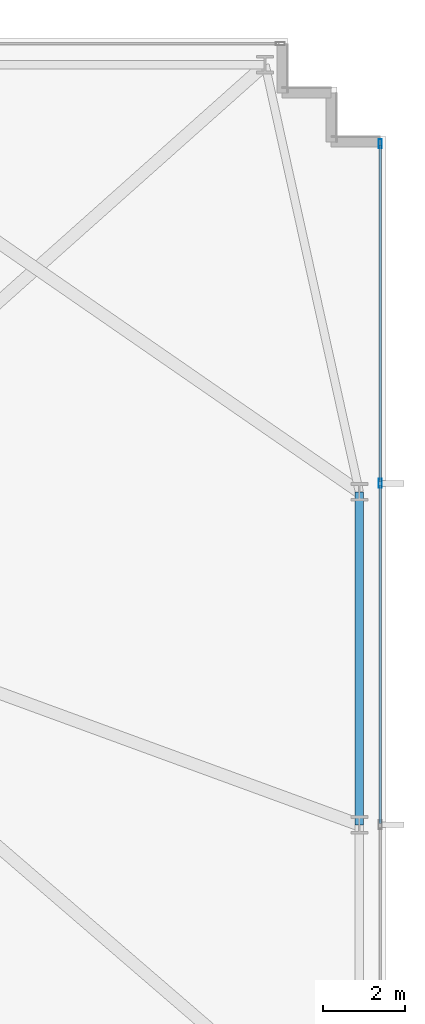
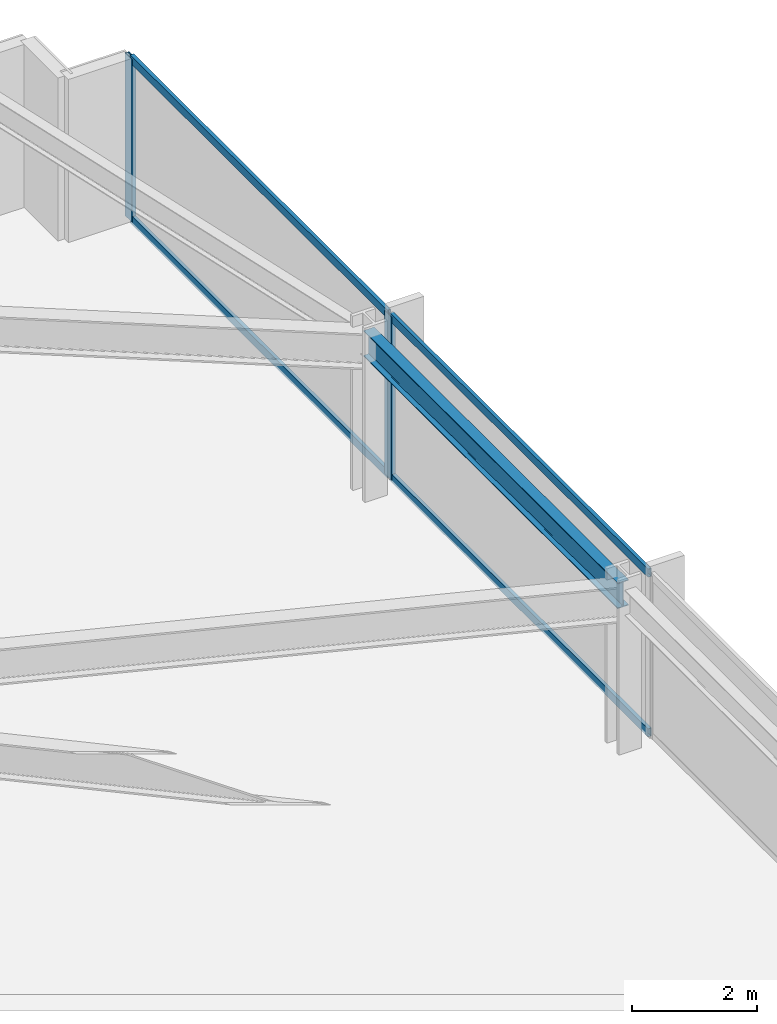
# One storey, part 23 of 33: 6 members, 1 beam, 1 element without a shape of its own.
"""IFC4 building model written with IfcOpenShell, lengths in metres."""

from ifc_helpers import new_model, si_unit, direction, frame, origin, origin_2d, place, context, subcontext, project, spatial, hollow_rectangle, i_section, extrude, material, material_profile, profile_set, type_object, element, aggregate, save


model = new_model("IFC4")

# Units and contexts
model_context = context("Model", 3, precision=1e-05, world=origin(), true_north=direction((0.0, 1.0)))
body_context = subcontext(model_context, "Body", "Model", "MODEL_VIEW")
ifc_project = project(units=[si_unit("LENGTHUNIT", "METRE"), si_unit("AREAUNIT", "SQUARE_METRE"), si_unit("VOLUMEUNIT", "CUBIC_METRE"), si_unit("PLANEANGLEUNIT", "RADIAN"), si_unit("MASSUNIT", "GRAM", prefix="KILO")], contexts=[model_context])

# Site, building, storey
site_placement = place(None, origin())
site = spatial("IfcSite", under=ifc_project, at=site_placement, CompositionType="ELEMENT")
building_placement = place(site_placement, origin())
building = spatial("IfcBuilding", under=site, at=building_placement, Name="Yelkora Congress Tower", CompositionType="ELEMENT")
storey_placement = place(building_placement, frame((0.0, 0.0, 37.199951171875)))
storey = spatial("IfcBuildingStorey", under=building, at=storey_placement, Name="L08", CompositionType="ELEMENT", Elevation=37.199951171875)

# Beam
ifc_material_1 = material(Name="Steel S355J2", Category="steel")
ifc_material_profile_1 = material_profile(ifc_material_1, i_section(OverallWidth=0.199951171875, OverallDepth=0.5, WebThickness=0.01025390625, FlangeThickness=0.01611328125, FilletRadius=0.02099609375, at=origin_2d()), Name="IPE 500")
ifc_profile_set_1 = profile_set([ifc_material_profile_1], Name="Steel S355J2")
beam_type = type_object("IfcBeamType", Name="BM-SPAN-IPE500", PredefinedType="SPANDREL", material=ifc_profile_set_1)
beam_placement = place(storey_placement, frame((70.14990234375, 29.39990234375, 2.929931640625), z_axis=(0.0, 1.0, 0.0), x_axis=(-1.0, 0.0, 0.0)))
element("IfcBeam", 1, at=beam_placement, inside=storey, type_object=beam_type, Name="L08 Perimeter Beam 12", PredefinedType="SPANDREL", context=body_context, shape_type="SweptSolid", body=[
    extrude(i_section(OverallWidth=0.199951171875, OverallDepth=0.5, WebThickness=0.01025390625, FlangeThickness=0.01611328125, FilletRadius=0.02099609375, at=origin_2d()), origin(), (0.0, 0.0, 1.0), 8.125),
])

# Curtain wall, members
ifc_material_2 = material(Name="Anodised aluminium and insulated glass", Category="aluminium")
curtain_wall_type = type_object("IfcCurtainWallType", Name="CW-SYS-B1", PredefinedType="NOTDEFINED", material=ifc_material_2)
curtain_wall_placement = place(storey_placement, origin())
curtain_wall = element("IfcCurtainWall", 2, at=curtain_wall_placement, inside=storey, type_object=curtain_wall_type, Name="L08 Unitised Curtain Wall 15", PredefinedType="NOTDEFINED")
ifc_material_3 = material(Name="Anodised aluminium 6063-T6", Category="aluminium")
ifc_material_profile_2 = material_profile(ifc_material_3, hollow_rectangle(XDim=0.074951171875, YDim=0.219970703125, WallThickness=0.0048828125, at=origin_2d()), Name="ALU 75x220x5")
ifc_profile_set_2 = profile_set([ifc_material_profile_2], Name="Anodised aluminium 6063-T6")
member_type_1 = type_object("IfcMemberType", Name="MEM-ML-B1", PredefinedType="MULLION", material=ifc_profile_set_2)
member_1_placement = place(storey_placement, frame((70.659912109375, 46.0224609375, 0.0), z_axis=(0.0, 0.0, 1.0), x_axis=(1.0, 0.0, 0.0)))
member_1 = element("IfcMember", 3, at=member_1_placement, type_object=member_type_1, Name="CW-B1 mullion 1", PredefinedType="MULLION", context=body_context, shape_type="SweptSolid", body=[
    extrude(hollow_rectangle(XDim=0.074951171875, YDim=0.219970703125, WallThickness=0.0048828125, at=origin_2d()), origin(), (0.0, 0.0, 1.0), 3.179931640625),
])
member_2_placement = place(storey_placement, frame((70.659912109375, 37.72998046875, 0.0), z_axis=(0.0, 0.0, 1.0), x_axis=(1.0, 0.0, 0.0)))
member_2 = element("IfcMember", 4, at=member_2_placement, type_object=member_type_1, Name="CW-B1 mullion 2", PredefinedType="MULLION", context=body_context, shape_type="SweptSolid", body=[
    extrude(hollow_rectangle(XDim=0.074951171875, YDim=0.219970703125, WallThickness=0.0048828125, at=origin_2d()), origin(), (0.0, 0.0, 1.0), 3.179931640625),
])
ifc_material_profile_3 = material_profile(ifc_material_3, hollow_rectangle(XDim=0.06494140625, YDim=0.159912109375, WallThickness=0.00390625, at=origin_2d()), Name="ALU 65x160x4")
ifc_profile_set_3 = profile_set([ifc_material_profile_3], Name="Anodised aluminium 6063-T6")
member_type_2 = type_object("IfcMemberType", Name="MEM-TR-B1", PredefinedType="USERDEFINED", material=ifc_profile_set_3)
member_3_placement = place(storey_placement, frame((70.659912109375, 45.985107421875, 0.032470703125), z_axis=(0.0, -1.0, 0.0), x_axis=(1.0, 0.0, 0.0)))
member_3 = element("IfcMember", 5, at=member_3_placement, type_object=member_type_2, Name="CW-B1 transom 1.1", ObjectType="TRANSOM", PredefinedType="USERDEFINED", context=body_context, shape_type="SweptSolid", body=[
    extrude(hollow_rectangle(XDim=0.06494140625, YDim=0.159912109375, WallThickness=0.00390625, at=origin_2d()), origin(), (0.0, 0.0, 1.0), 8.217529296875),
])
member_4_placement = place(storey_placement, frame((70.659912109375, 45.985107421875, 3.1474609375), z_axis=(0.0, -1.0, 0.0), x_axis=(1.0, 0.0, 0.0)))
member_4 = element("IfcMember", 6, at=member_4_placement, type_object=member_type_2, Name="CW-B1 transom 1.2", ObjectType="TRANSOM", PredefinedType="USERDEFINED", context=body_context, shape_type="SweptSolid", body=[
    extrude(hollow_rectangle(XDim=0.06494140625, YDim=0.159912109375, WallThickness=0.00390625, at=origin_2d()), origin(), (0.0, 0.0, 1.0), 8.217529296875),
])
member_5_placement = place(storey_placement, frame((70.659912109375, 37.6923828125, 0.032470703125), z_axis=(0.0, -1.0, 0.0), x_axis=(1.0, 0.0, 0.0)))
member_5 = element("IfcMember", 7, at=member_5_placement, type_object=member_type_2, Name="CW-B1 transom 2.1", ObjectType="TRANSOM", PredefinedType="USERDEFINED", context=body_context, shape_type="SweptSolid", body=[
    extrude(hollow_rectangle(XDim=0.06494140625, YDim=0.159912109375, WallThickness=0.00390625, at=origin_2d()), origin(), (0.0, 0.0, 1.0), 8.2548828125),
])
member_6_placement = place(storey_placement, frame((70.659912109375, 37.6923828125, 3.1474609375), z_axis=(0.0, -1.0, 0.0), x_axis=(1.0, 0.0, 0.0)))
member_6 = element("IfcMember", 8, at=member_6_placement, type_object=member_type_2, Name="CW-B1 transom 2.2", ObjectType="TRANSOM", PredefinedType="USERDEFINED", context=body_context, shape_type="SweptSolid", body=[
    extrude(hollow_rectangle(XDim=0.06494140625, YDim=0.159912109375, WallThickness=0.00390625, at=origin_2d()), origin(), (0.0, 0.0, 1.0), 8.2548828125),
])
aggregate(curtain_wall, [member_1, member_2, member_3, member_4, member_5, member_6])

save(model, "model.ifc")
